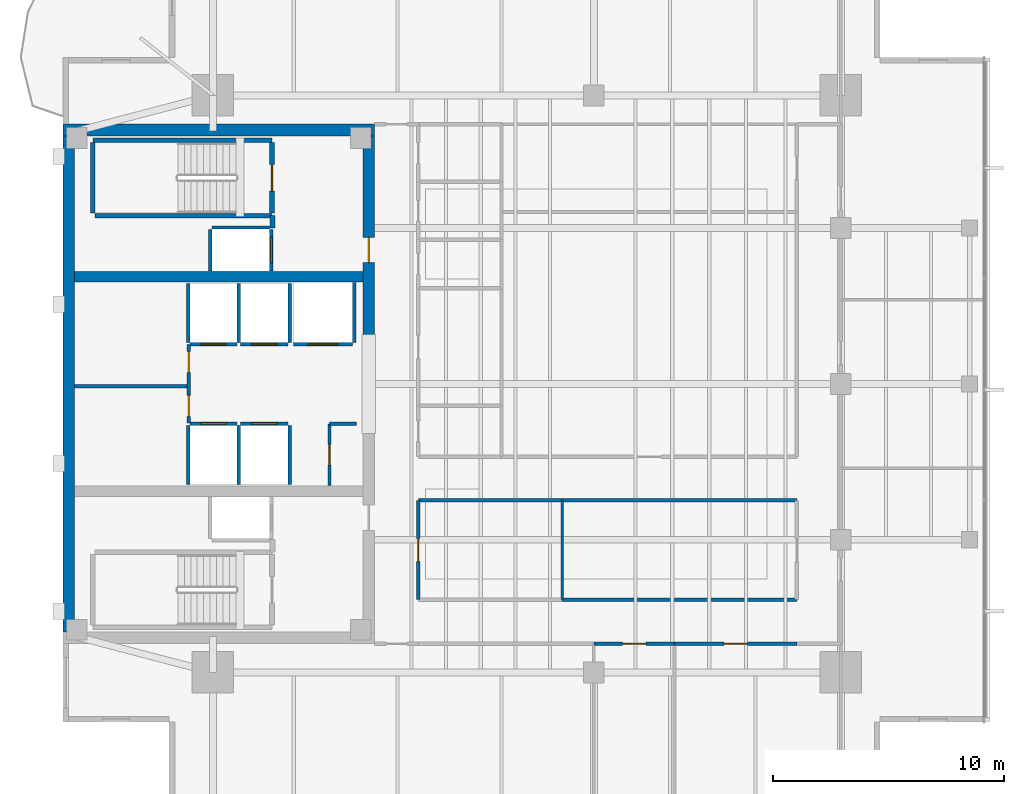
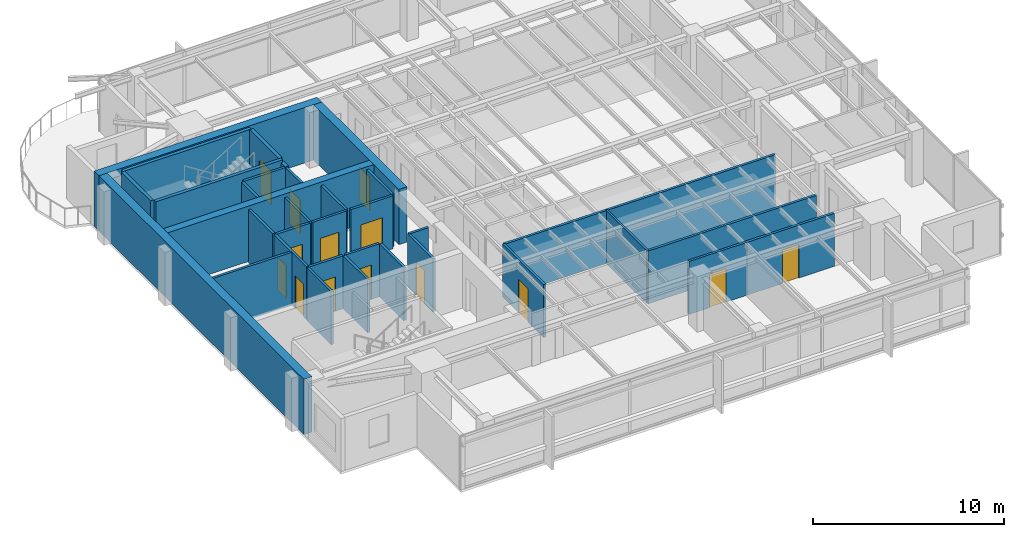
# One storey, part 8 of 14: 35 walls, 14 doors, 14 openings.
"""IFC4 building model written with IfcOpenShell, lengths in metres."""

from ifc_helpers import new_model, si_unit, direction, frame, frame_2d, origin, place, context, subcontext, project, spatial, rectangle, extrude, material, layer, layer_set, type_object, element, fill, save


model = new_model("IFC4")

# Units and contexts
model_context = context("Model", 3, precision=1e-05, world=origin(), true_north=direction((0.0, 1.0)))
body_context = subcontext(model_context, "Body", "Model", "MODEL_VIEW")
ifc_project = project(units=[si_unit("LENGTHUNIT", "METRE"), si_unit("AREAUNIT", "SQUARE_METRE"), si_unit("VOLUMEUNIT", "CUBIC_METRE"), si_unit("PLANEANGLEUNIT", "RADIAN"), si_unit("MASSUNIT", "GRAM", prefix="KILO")], contexts=[model_context])

# Site, building, storey
site_placement = place(None, origin())
site = spatial("IfcSite", under=ifc_project, at=site_placement, CompositionType="ELEMENT")
building_placement = place(site_placement, origin())
building = spatial("IfcBuilding", under=site, at=building_placement, Name="Kinhvarn Gate Tower", CompositionType="ELEMENT")
storey_placement = place(building_placement, frame((0.0, 0.0, 274.10009765625)))
storey = spatial("IfcBuildingStorey", under=building, at=storey_placement, Name="L73", CompositionType="ELEMENT", Elevation=274.10009765625)

# Walls
ifc_material_1 = material(Name="Concrete C50/60", Category="concrete")
ifc_layer_1 = layer(ifc_material_1, 0.449951171875)
ifc_layer_set_1 = layer_set([ifc_layer_1], Name="Concrete C50/60")
wall_type_1 = type_object("IfcWallType", Name="WL-CORE-450", PredefinedType="SHEAR", material=ifc_layer_set_1)
wall_1_placement = place(storey_placement, frame((5.0, 29.89990234375, 0.0), z_axis=(0.0, 0.0, 1.0), x_axis=(1.0, 0.0, 0.0)))
element("IfcWall", 1, at=wall_1_placement, inside=storey, type_object=wall_type_1, Name="Core North Spine Shear Wall L73 450 mm", PredefinedType="SHEAR", context=body_context, shape_type="SweptSolid", body=[
    extrude(rectangle(XDim=12.5, YDim=0.449951171875, at=frame_2d((6.25, 0.0))), origin(), (0.0, 0.0, 1.0), 3.5498046875),
])
ifc_layer_2 = layer(ifc_material_1, 0.5)
ifc_layer_set_2 = layer_set([ifc_layer_2], Name="Concrete C50/60")
wall_type_2 = type_object("IfcWallType", Name="WL-CORE-500", PredefinedType="SHEAR", material=ifc_layer_set_2)
wall_2_placement = place(storey_placement, frame((4.5, 36.25, 0.0), z_axis=(0.0, 0.0, 1.0), x_axis=(1.0, 0.0, 0.0)))
element("IfcWall", 2, at=wall_2_placement, inside=storey, type_object=wall_type_2, Name="Core North Shear Wall L73 500 mm", PredefinedType="SHEAR", context=body_context, shape_type="SweptSolid", body=[
    extrude(rectangle(XDim=13.5, YDim=0.5, at=frame_2d((6.75, 0.0))), origin(), (0.0, 0.0, 1.0), 3.5498046875),
])

# Wall, opening, door
wall_3_placement = place(storey_placement, frame((17.75, 27.050048828125, 0.0), z_axis=(0.0, 0.0, 1.0), x_axis=(0.0, 1.0, 0.0)))
wall_3 = element("IfcWall", 3, at=wall_3_placement, inside=storey, type_object=wall_type_2, Name="Core East-North Shear Pier L73 500 mm", PredefinedType="SHEAR", context=body_context, shape_type="SweptSolid", body=[
    extrude(rectangle(XDim=8.949951171875, YDim=0.5, at=frame_2d((4.47509765625, 0.0))), origin(), (0.0, 0.0, 1.0), 3.5498046875),
])
opening_1_placement = place(wall_3_placement, frame((3.449951171875, 0.0, 0.0)))
opening_1 = element("IfcOpeningElement", 4, at=opening_1_placement, cuts=wall_3, Name="Opening FD-02", PredefinedType="OPENING", context=body_context, shape_type="SweptSolid", body=[
    extrude(rectangle(XDim=1.10009765625, YDim=2.14990234375, at=frame_2d((0.550048828125, 1.074951171875))), frame((0.0, 0.260009765625, 0.0), z_axis=(0.0, -1.0, 0.0), x_axis=(1.0, 0.0, 0.0)), (0.0, 0.0, 1.0), 0.52001953125),
])
ifc_material_2 = material(Name="Anodised aluminium AW-6063", Category="aluminium")
door_type_1 = type_object("IfcDoorType", Name="DR-FD-1100", OperationType="NOTDEFINED", PredefinedType="DOOR", material=ifc_material_2)
door_1_placement = place(opening_1_placement, origin())
door_1 = element("IfcDoor", 5, at=door_1_placement, inside=storey, type_object=door_type_1, Name="Firefighting Lobby Core Door (L73)", OperationType="SINGLE_SWING_LEFT", OverallHeight=2.14990234375, OverallWidth=1.10009765625, PredefinedType="DOOR", context=body_context, shape_type="SweptSolid", body=[
    extrude(rectangle(XDim=1.10009765625, YDim=2.14990234375, at=frame_2d((0.550048828125, 1.074951171875))), frame((0.0, 0.02490234375, 0.0), z_axis=(0.0, -1.0, 0.0), x_axis=(1.0, 0.0, 0.0)), (0.0, 0.0, 1.0), 0.050048828125),
])
fill(opening_1, door_1)

# Walls
ifc_layer_3 = layer(ifc_material_1, 0.5)
ifc_layer_set_3 = layer_set([ifc_layer_3], Name="Concrete C50/60")
wall_type_3 = type_object("IfcWallType", Name="WL-COREX-500", PredefinedType="SHEAR", material=ifc_layer_set_3)
wall_4_placement = place(storey_placement, frame((4.75, 14.5, 0.0), z_axis=(0.0, 0.0, 1.0), x_axis=(0.0, 1.0, 0.0)))
element("IfcWall", 6, at=wall_4_placement, inside=storey, type_object=wall_type_3, Name="Core West Shear Wall L73 500 mm", PredefinedType="SHEAR", context=body_context, shape_type="SweptSolid", body=[
    extrude(rectangle(XDim=21.5, YDim=0.5, at=frame_2d((10.75, 0.0))), origin(), (0.0, 0.0, 1.0), 3.5498046875),
])
ifc_material_3 = material(Name="Gypsum acoustic partition board")
ifc_layer_4 = layer(ifc_material_3, 0.1201171875)
ifc_layer_set_4 = layer_set([ifc_layer_4], Name="Gypsum acoustic partition board")
wall_type_4 = type_object("IfcWallType", Name="WL-PRT-120", PredefinedType="PARTITIONING", material=ifc_layer_set_4)
wall_5_placement = place(storey_placement, frame((26.1298828125, 15.89990234375, 0.0), z_axis=(0.0, 0.0, 1.0), x_axis=(0.0, 1.0, 0.0)))
element("IfcWall", 7, at=wall_5_placement, inside=storey, type_object=wall_type_4, Name="Interior Partition PW-120 (L73)", PredefinedType="PARTITIONING", context=body_context, shape_type="SweptSolid", body=[
    extrude(rectangle(XDim=4.300048828125, YDim=0.1201171875, at=frame_2d((2.14990234375, 0.0))), origin(), (0.0, 0.0, 1.0), 3.389892578125),
])
ifc_layer_5 = layer(ifc_material_3, 0.14990234375)
ifc_layer_set_5 = layer_set([ifc_layer_5], Name="Gypsum acoustic partition board")
wall_type_5 = type_object("IfcWallType", Name="WL-PRT-150F", PredefinedType="PARTITIONING", material=ifc_layer_set_5)
wall_6_placement = place(storey_placement, frame((5.0, 25.14990234375, 0.0), z_axis=(0.0, 0.0, 1.0), x_axis=(1.0, 0.0, 0.0)))
element("IfcWall", 8, at=wall_6_placement, inside=storey, type_object=wall_type_5, Name="Interior Partition PW-150F (L73)", PredefinedType="PARTITIONING", context=body_context, shape_type="SweptSolid", body=[
    extrude(rectangle(XDim=4.949951171875, YDim=0.14990234375, at=frame_2d((2.47509765625, 0.0))), origin(), (0.0, 0.0, 1.0), 3.389892578125),
])

# Wall, openings, doors
wall_7_placement = place(storey_placement, frame((9.949951171875, 23.550048828125, 0.0), z_axis=(0.0, 0.0, 1.0), x_axis=(0.0, 1.0, 0.0)))
wall_7 = element("IfcWall", 9, at=wall_7_placement, inside=storey, type_object=wall_type_5, Name="Interior Partition PW-150F (L73)", PredefinedType="PARTITIONING", context=body_context, shape_type="SweptSolid", body=[
    extrude(rectangle(XDim=3.39990234375, YDim=0.14990234375, at=frame_2d((1.699951171875, 0.0))), origin(), (0.0, 0.0, 1.0), 3.389892578125),
])
opening_2_placement = place(wall_7_placement, frame((0.298095703125, 0.0, 0.0)))
opening_2 = element("IfcOpeningElement", 10, at=opening_2_placement, cuts=wall_7, Name="Opening FD-04", PredefinedType="OPENING", context=body_context, shape_type="SweptSolid", body=[
    extrude(rectangle(XDim=0.89990234375, YDim=2.10009765625, at=frame_2d((0.449951171875, 1.050048828125))), frame((0.0, 0.0849609375, 0.0), z_axis=(0.0, -1.0, 0.0), x_axis=(1.0, 0.0, 0.0)), (0.0, 0.0, 1.0), 0.169921875),
])
opening_3_placement = place(wall_7_placement, frame((2.201904296875, 0.0, 0.0)))
opening_3 = element("IfcOpeningElement", 11, at=opening_3_placement, cuts=wall_7, Name="Opening FD-04", PredefinedType="OPENING", context=body_context, shape_type="SweptSolid", body=[
    extrude(rectangle(XDim=0.89990234375, YDim=2.10009765625, at=frame_2d((0.449951171875, 1.050048828125))), frame((0.0, 0.0849609375, 0.0), z_axis=(0.0, -1.0, 0.0), x_axis=(1.0, 0.0, 0.0)), (0.0, 0.0, 1.0), 0.169921875),
])
door_type_2 = type_object("IfcDoorType", Name="DR-FD-900", OperationType="NOTDEFINED", PredefinedType="DOOR", material=ifc_material_2)
door_2_placement = place(opening_2_placement, origin())
door_2 = element("IfcDoor", 12, at=door_2_placement, inside=storey, type_object=door_type_2, Name="Rated Riser & Service Closet Fire Door 900x2100 mm (L73)", OperationType="SINGLE_SWING_RIGHT", OverallHeight=2.10009765625, OverallWidth=0.89990234375, PredefinedType="DOOR", context=body_context, shape_type="SweptSolid", body=[
    extrude(rectangle(XDim=0.89990234375, YDim=2.10009765625, at=frame_2d((0.449951171875, 1.050048828125))), frame((0.0, 0.02490234375, 0.0), z_axis=(0.0, -1.0, 0.0), x_axis=(1.0, 0.0, 0.0)), (0.0, 0.0, 1.0), 0.050048828125),
])
fill(opening_2, door_2)
door_3_placement = place(opening_3_placement, origin())
door_3 = element("IfcDoor", 13, at=door_3_placement, inside=storey, type_object=door_type_2, Name="Rated Riser & Service Closet Fire Door 900x2100 mm (L73)", OperationType="SINGLE_SWING_LEFT", OverallHeight=2.10009765625, OverallWidth=0.89990234375, PredefinedType="DOOR", context=body_context, shape_type="SweptSolid", body=[
    extrude(rectangle(XDim=0.89990234375, YDim=2.10009765625, at=frame_2d((0.449951171875, 1.050048828125))), frame((0.0, 0.02490234375, 0.0), z_axis=(0.0, -1.0, 0.0), x_axis=(1.0, 0.0, 0.0)), (0.0, 0.0, 1.0), 0.050048828125),
])
fill(opening_3, door_3)

# Wall, opening, door
wall_8_placement = place(storey_placement, frame((16.050048828125, 20.85009765625, 0.0), z_axis=(0.0, 0.0, 1.0), x_axis=(0.0, 1.0, 0.0)))
wall_8 = element("IfcWall", 14, at=wall_8_placement, inside=storey, type_object=wall_type_5, Name="Interior Partition PW-150F (L73)", PredefinedType="PARTITIONING", context=body_context, shape_type="SweptSolid", body=[
    extrude(rectangle(XDim=2.669921875, YDim=0.14990234375, at=frame_2d((1.3349609375, 0.0))), origin(), (0.0, 0.0, 1.0), 3.389892578125),
])
opening_4_placement = place(wall_8_placement, frame((0.885009765625, 0.0, 0.0)))
opening_4 = element("IfcOpeningElement", 15, at=opening_4_placement, cuts=wall_8, Name="Opening FD-04", PredefinedType="OPENING", context=body_context, shape_type="SweptSolid", body=[
    extrude(rectangle(XDim=0.89990234375, YDim=2.10009765625, at=frame_2d((0.449951171875, 1.050048828125))), frame((0.0, 0.0849609375, 0.0), z_axis=(0.0, -1.0, 0.0), x_axis=(1.0, 0.0, 0.0)), (0.0, 0.0, 1.0), 0.169921875),
])
door_4_placement = place(opening_4_placement, origin())
door_4 = element("IfcDoor", 16, at=door_4_placement, inside=storey, type_object=door_type_2, Name="Rated Riser & Service Closet Fire Door 900x2100 mm (L73)", OperationType="SINGLE_SWING_RIGHT", OverallHeight=2.10009765625, OverallWidth=0.89990234375, PredefinedType="DOOR", context=body_context, shape_type="SweptSolid", body=[
    extrude(rectangle(XDim=0.89990234375, YDim=2.10009765625, at=frame_2d((0.449951171875, 1.050048828125))), frame((0.0, 0.02490234375, 0.0), z_axis=(0.0, -1.0, 0.0), x_axis=(1.0, 0.0, 0.0)), (0.0, 0.0, 1.0), 0.050048828125),
])
fill(opening_4, door_4)

# Wall
wall_9_placement = place(storey_placement, frame((16.050048828125, 23.52001953125, 0.0), z_axis=(0.0, 0.0, 1.0), x_axis=(1.0, 0.0, 0.0)))
element("IfcWall", 17, at=wall_9_placement, inside=storey, type_object=wall_type_5, Name="Interior Partition PW-150F (L73)", PredefinedType="PARTITIONING", context=body_context, shape_type="SweptSolid", body=[
    extrude(rectangle(XDim=1.169921875, YDim=0.14990234375, at=frame_2d((0.5849609375, 0.0))), origin(), (0.0, 0.0, 1.0), 3.389892578125),
])

# Wall, opening, door
wall_10_placement = place(storey_placement, frame((19.89990234375, 15.89990234375, 0.0), z_axis=(0.0, 0.0, 1.0), x_axis=(0.0, 1.0, 0.0)))
wall_10 = element("IfcWall", 18, at=wall_10_placement, inside=storey, type_object=wall_type_5, Name="Interior Partition PW-150F (L73)", PredefinedType="PARTITIONING", context=body_context, shape_type="SweptSolid", body=[
    extrude(rectangle(XDim=4.300048828125, YDim=0.14990234375, at=frame_2d((2.14990234375, 0.0))), origin(), (0.0, 0.0, 1.0), 3.389892578125),
])
opening_5_placement = place(wall_10_placement, frame((1.64990234375, 0.0, 0.0)))
opening_5 = element("IfcOpeningElement", 19, at=opening_5_placement, cuts=wall_10, Name="Opening ID-02", PredefinedType="OPENING", context=body_context, shape_type="SweptSolid", body=[
    extrude(rectangle(XDim=1.0, YDim=2.14990234375, at=frame_2d((0.5, 1.074951171875))), frame((0.0, 0.0849609375, 0.0), z_axis=(0.0, -1.0, 0.0), x_axis=(1.0, 0.0, 0.0)), (0.0, 0.0, 1.0), 0.169921875),
])
door_type_3 = type_object("IfcDoorType", Name="DR-INT-1000", OperationType="NOTDEFINED", PredefinedType="DOOR", material=ifc_material_2)
door_5_placement = place(opening_5_placement, origin())
door_5 = element("IfcDoor", 20, at=door_5_placement, inside=storey, type_object=door_type_3, Name="Standard Office & Meeting Room Door 1000x2150 mm (L73)", OperationType="SINGLE_SWING_LEFT", OverallHeight=2.14990234375, OverallWidth=1.0, PredefinedType="DOOR", context=body_context, shape_type="SweptSolid", body=[
    extrude(rectangle(XDim=1.0, YDim=2.14990234375, at=frame_2d((0.5, 1.074951171875))), frame((0.0, 0.02490234375, 0.0), z_axis=(0.0, -1.0, 0.0), x_axis=(1.0, 0.0, 0.0)), (0.0, 0.0, 1.0), 0.050048828125),
])
fill(opening_5, door_5)

# Walls
wall_11_placement = place(storey_placement, frame((19.89990234375, 20.199951171875, 0.0), z_axis=(0.0, 0.0, 1.0), x_axis=(1.0, 0.0, 0.0)))
element("IfcWall", 21, at=wall_11_placement, inside=storey, type_object=wall_type_5, Name="Interior Partition PW-150F (L73)", PredefinedType="PARTITIONING", context=body_context, shape_type="SweptSolid", body=[
    extrude(rectangle(XDim=6.22998046875, YDim=0.14990234375, at=frame_2d((3.114990234375, 0.0))), origin(), (0.0, 0.0, 1.0), 3.389892578125),
])
for number, where, z_axis, x_axis, name in (
    (22, (26.1298828125, 20.199951171875, 0.0), (0.0, 0.0, 1.0), (1.0, 0.0, 0.0), "Interior Partition PW-150F (L73)"),
    (23, (26.1298828125, 15.89990234375, 0.0), (0.0, 0.0, 1.0), (1.0, 0.0, 0.0), "Interior Partition PW-150F (L73)"),
):
    element("IfcWall", number, at=place(storey_placement, frame(where, z_axis=z_axis, x_axis=x_axis)), inside=storey, type_object=wall_type_5, Name=name, PredefinedType="PARTITIONING", context=body_context, shape_type="SweptSolid", body=[
        extrude(rectangle(XDim=10.170166015625, YDim=0.14990234375, at=frame_2d((5.0849609375, 0.0))), origin(), (0.0, 0.0, 1.0), 3.389892578125),
    ])

# Wall, opening, door
wall_12_placement = place(storey_placement, frame((27.5, 14.0, 0.0), z_axis=(0.0, 0.0, 1.0), x_axis=(1.0, 0.0, 0.0)))
wall_12 = element("IfcWall", 24, at=wall_12_placement, inside=storey, type_object=wall_type_5, Name="Interior Partition PW-150F (L73)", PredefinedType="PARTITIONING", context=body_context, shape_type="SweptSolid", body=[
    extrude(rectangle(XDim=3.5, YDim=0.14990234375, at=frame_2d((1.75, 0.0))), origin(), (0.0, 0.0, 1.0), 3.389892578125),
])
opening_6_placement = place(wall_12_placement, frame((1.25, 0.0, 0.0)))
opening_6 = element("IfcOpeningElement", 25, at=opening_6_placement, cuts=wall_12, Name="Opening ID-02", PredefinedType="OPENING", context=body_context, shape_type="SweptSolid", body=[
    extrude(rectangle(XDim=1.0, YDim=2.14990234375, at=frame_2d((0.5, 1.074951171875))), frame((0.0, 0.0849609375, 0.0), z_axis=(0.0, -1.0, 0.0), x_axis=(1.0, 0.0, 0.0)), (0.0, 0.0, 1.0), 0.169921875),
])
door_6_placement = place(opening_6_placement, origin())
door_6 = element("IfcDoor", 26, at=door_6_placement, inside=storey, type_object=door_type_3, Name="Standard Office & Meeting Room Door 1000x2150 mm (L73)", OperationType="SINGLE_SWING_LEFT", OverallHeight=2.14990234375, OverallWidth=1.0, PredefinedType="DOOR", context=body_context, shape_type="SweptSolid", body=[
    extrude(rectangle(XDim=1.0, YDim=2.14990234375, at=frame_2d((0.5, 1.074951171875))), frame((0.0, 0.02490234375, 0.0), z_axis=(0.0, -1.0, 0.0), x_axis=(1.0, 0.0, 0.0)), (0.0, 0.0, 1.0), 0.050048828125),
])
fill(opening_6, door_6)

wall_13_placement = place(storey_placement, frame((31.0, 14.0, 0.0), z_axis=(0.0, 0.0, 1.0), x_axis=(1.0, 0.0, 0.0)))
wall_13 = element("IfcWall", 27, at=wall_13_placement, inside=storey, type_object=wall_type_5, Name="Interior Partition PW-150F (L73)", PredefinedType="PARTITIONING", context=body_context, shape_type="SweptSolid", body=[
    extrude(rectangle(XDim=5.300048828125, YDim=0.14990234375, at=frame_2d((2.64990234375, 0.0))), origin(), (0.0, 0.0, 1.0), 3.389892578125),
])
opening_7_placement = place(wall_13_placement, frame((2.14990234375, 0.0, 0.0)))
opening_7 = element("IfcOpeningElement", 28, at=opening_7_placement, cuts=wall_13, Name="Opening ID-02", PredefinedType="OPENING", context=body_context, shape_type="SweptSolid", body=[
    extrude(rectangle(XDim=1.0, YDim=2.14990234375, at=frame_2d((0.5, 1.074951171875))), frame((0.0, 0.0849609375, 0.0), z_axis=(0.0, -1.0, 0.0), x_axis=(1.0, 0.0, 0.0)), (0.0, 0.0, 1.0), 0.169921875),
])
door_7_placement = place(opening_7_placement, origin())
door_7 = element("IfcDoor", 29, at=door_7_placement, inside=storey, type_object=door_type_3, Name="Standard Office & Meeting Room Door 1000x2150 mm (L73)", OperationType="SINGLE_SWING_RIGHT", OverallHeight=2.14990234375, OverallWidth=1.0, PredefinedType="DOOR", context=body_context, shape_type="SweptSolid", body=[
    extrude(rectangle(XDim=1.0, YDim=2.14990234375, at=frame_2d((0.5, 1.074951171875))), frame((0.0, 0.02490234375, 0.0), z_axis=(0.0, -1.0, 0.0), x_axis=(1.0, 0.0, 0.0)), (0.0, 0.0, 1.0), 0.050048828125),
])
fill(opening_7, door_7)

# Wall
ifc_layer_6 = layer(ifc_material_3, 0.199951171875)
ifc_layer_set_6 = layer_set([ifc_layer_6], Name="Gypsum acoustic partition board")
wall_type_6 = type_object("IfcWallType", Name="WL-PRT-200", PredefinedType="PARTITIONING", material=ifc_layer_set_6)
wall_14_placement = place(storey_placement, frame((13.580078125, 32.0, 0.0), z_axis=(0.0, 0.0, 1.0), x_axis=(0.0, 1.0, 0.0)))
element("IfcWall", 30, at=wall_14_placement, inside=storey, type_object=wall_type_6, Name="Interior Partition PW-200 (L73)", PredefinedType="PARTITIONING", context=body_context, shape_type="SweptSolid", body=[
    extrude(rectangle(XDim=0.5400390625, YDim=0.199951171875, at=frame_2d((0.27001953125, 0.0))), origin(), (0.0, 0.0, 1.0), 3.389892578125),
])

# Wall, opening, door
ifc_layer_7 = layer(ifc_material_3, 0.14990234375)
ifc_layer_set_7 = layer_set([ifc_layer_7], Name="Gypsum acoustic partition board")
wall_type_7 = type_object("IfcWallType", Name="WL-SHF-150", PredefinedType="PARTITIONING", material=ifc_layer_set_7)
wall_15_placement = place(storey_placement, frame((10.0, 23.52490234375, 0.0), z_axis=(0.0, 0.0, 1.0), x_axis=(1.0, 0.0, 0.0)))
wall_15 = element("IfcWall", 31, at=wall_15_placement, inside=storey, type_object=wall_type_7, Name="Elevator PH-09 Landing Wall (L73)", PredefinedType="PARTITIONING", context=body_context, shape_type="SweptSolid", body=[
    extrude(rectangle(XDim=2.050048828125, YDim=0.14990234375, at=frame_2d((1.02490234375, 0.0))), origin(), (0.0, 0.0, 1.0), 3.389892578125),
])
opening_8_placement = place(wall_15_placement, frame((0.47509765625, 0.0, 0.0)))
opening_8 = element("IfcOpeningElement", 32, at=opening_8_placement, cuts=wall_15, Name="Opening LD-01", PredefinedType="OPENING", context=body_context, shape_type="SweptSolid", body=[
    extrude(rectangle(XDim=1.10009765625, YDim=2.199951171875, at=frame_2d((0.550048828125, 1.10009765625))), frame((0.0, 0.0849609375, 0.0), z_axis=(0.0, -1.0, 0.0), x_axis=(1.0, 0.0, 0.0)), (0.0, 0.0, 1.0), 0.169921875),
])
door_type_4 = type_object("IfcDoorType", Name="DR-LND-PAS", OperationType="NOTDEFINED", PredefinedType="DOOR", material=ifc_material_2)
door_8_placement = place(opening_8_placement, origin())
door_8 = element("IfcDoor", 33, at=door_8_placement, inside=storey, type_object=door_type_4, Name="Elevator PH-09 Sliding Landing Door (L73)", OperationType="DOUBLE_DOOR_SLIDING", OverallHeight=2.199951171875, OverallWidth=1.10009765625, PredefinedType="DOOR", context=body_context, shape_type="SweptSolid", body=[
    extrude(rectangle(XDim=1.10009765625, YDim=2.199951171875, at=frame_2d((0.550048828125, 1.10009765625))), frame((0.0, 0.02490234375, 0.0), z_axis=(0.0, -1.0, 0.0), x_axis=(1.0, 0.0, 0.0)), (0.0, 0.0, 1.0), 0.050048828125),
])
fill(opening_8, door_8)

# Walls
for number, where, z_axis, x_axis, name in (
    (34, (9.925048828125, 20.89990234375, 0.0), (0.0, 0.0, 1.0), (0.0, 1.0, 0.0), "Elevator PH-09 Hoistway Wall W (L73)"),
    (35, (12.125, 20.89990234375, 0.0), (0.0, 0.0, 1.0), (0.0, 1.0, 0.0), "Elevator PH-09 Hoistway Wall E (L73)"),
):
    element("IfcWall", number, at=place(storey_placement, frame(where, z_axis=z_axis, x_axis=x_axis)), inside=storey, type_object=wall_type_7, Name=name, PredefinedType="PARTITIONING", context=body_context, shape_type="SweptSolid", body=[
        extrude(rectangle(XDim=2.550048828125, YDim=0.14990234375, at=frame_2d((1.27490234375, 0.0))), origin(), (0.0, 0.0, 1.0), 3.389892578125),
    ])

# Wall, opening, door
wall_16_placement = place(storey_placement, frame((12.199951171875, 23.52490234375, 0.0), z_axis=(0.0, 0.0, 1.0), x_axis=(1.0, 0.0, 0.0)))
wall_16 = element("IfcWall", 36, at=wall_16_placement, inside=storey, type_object=wall_type_7, Name="Elevator PH-10 Landing Wall (L73)", PredefinedType="PARTITIONING", context=body_context, shape_type="SweptSolid", body=[
    extrude(rectangle(XDim=2.050048828125, YDim=0.14990234375, at=frame_2d((1.02490234375, 0.0))), origin(), (0.0, 0.0, 1.0), 3.389892578125),
])
opening_9_placement = place(wall_16_placement, frame((0.47509765625, 0.0, 0.0)))
opening_9 = element("IfcOpeningElement", 37, at=opening_9_placement, cuts=wall_16, Name="Opening LD-01", PredefinedType="OPENING", context=body_context, shape_type="SweptSolid", body=[
    extrude(rectangle(XDim=1.10009765625, YDim=2.199951171875, at=frame_2d((0.550048828125, 1.10009765625))), frame((0.0, 0.0849609375, 0.0), z_axis=(0.0, -1.0, 0.0), x_axis=(1.0, 0.0, 0.0)), (0.0, 0.0, 1.0), 0.169921875),
])
door_9_placement = place(opening_9_placement, origin())
door_9 = element("IfcDoor", 38, at=door_9_placement, inside=storey, type_object=door_type_4, Name="Elevator PH-10 Sliding Landing Door (L73)", OperationType="DOUBLE_DOOR_SLIDING", OverallHeight=2.199951171875, OverallWidth=1.10009765625, PredefinedType="DOOR", context=body_context, shape_type="SweptSolid", body=[
    extrude(rectangle(XDim=1.10009765625, YDim=2.199951171875, at=frame_2d((0.550048828125, 1.10009765625))), frame((0.0, 0.02490234375, 0.0), z_axis=(0.0, -1.0, 0.0), x_axis=(1.0, 0.0, 0.0)), (0.0, 0.0, 1.0), 0.050048828125),
])
fill(opening_9, door_9)

# Wall
wall_17_placement = place(storey_placement, frame((14.324951171875, 20.89990234375, 0.0), z_axis=(0.0, 0.0, 1.0), x_axis=(0.0, 1.0, 0.0)))
element("IfcWall", 39, at=wall_17_placement, inside=storey, type_object=wall_type_7, Name="Elevator PH-10 Hoistway Wall E (L73)", PredefinedType="PARTITIONING", context=body_context, shape_type="SweptSolid", body=[
    extrude(rectangle(XDim=2.550048828125, YDim=0.14990234375, at=frame_2d((1.27490234375, 0.0))), origin(), (0.0, 0.0, 1.0), 3.389892578125),
])

# Wall, opening, door
wall_18_placement = place(storey_placement, frame((10.0, 26.97509765625, 0.0), z_axis=(0.0, 0.0, 1.0), x_axis=(1.0, 0.0, 0.0)))
wall_18 = element("IfcWall", 40, at=wall_18_placement, inside=storey, type_object=wall_type_7, Name="Elevator PH-11 Landing Wall (L73)", PredefinedType="PARTITIONING", context=body_context, shape_type="SweptSolid", body=[
    extrude(rectangle(XDim=2.050048828125, YDim=0.14990234375, at=frame_2d((1.02490234375, 0.0))), origin(), (0.0, 0.0, 1.0), 3.389892578125),
])
opening_10_placement = place(wall_18_placement, frame((0.47509765625, 0.0, 0.0)))
opening_10 = element("IfcOpeningElement", 41, at=opening_10_placement, cuts=wall_18, Name="Opening LD-01", PredefinedType="OPENING", context=body_context, shape_type="SweptSolid", body=[
    extrude(rectangle(XDim=1.10009765625, YDim=2.199951171875, at=frame_2d((0.550048828125, 1.10009765625))), frame((0.0, 0.0849609375, 0.0), z_axis=(0.0, -1.0, 0.0), x_axis=(1.0, 0.0, 0.0)), (0.0, 0.0, 1.0), 0.169921875),
])
door_10_placement = place(opening_10_placement, origin())
door_10 = element("IfcDoor", 42, at=door_10_placement, inside=storey, type_object=door_type_4, Name="Elevator PH-11 Sliding Landing Door (L73)", OperationType="DOUBLE_DOOR_SLIDING", OverallHeight=2.199951171875, OverallWidth=1.10009765625, PredefinedType="DOOR", context=body_context, shape_type="SweptSolid", body=[
    extrude(rectangle(XDim=1.10009765625, YDim=2.199951171875, at=frame_2d((0.550048828125, 1.10009765625))), frame((0.0, 0.02490234375, 0.0), z_axis=(0.0, -1.0, 0.0), x_axis=(1.0, 0.0, 0.0)), (0.0, 0.0, 1.0), 0.050048828125),
])
fill(opening_10, door_10)

# Walls
for number, where, z_axis, x_axis, name in (
    (43, (9.925048828125, 27.050048828125, 0.0), (0.0, 0.0, 1.0), (0.0, 1.0, 0.0), "Elevator PH-11 Hoistway Wall W (L73)"),
    (44, (12.125, 27.050048828125, 0.0), (0.0, 0.0, 1.0), (0.0, 1.0, 0.0), "Elevator PH-11 Hoistway Wall E (L73)"),
):
    element("IfcWall", number, at=place(storey_placement, frame(where, z_axis=z_axis, x_axis=x_axis)), inside=storey, type_object=wall_type_7, Name=name, PredefinedType="PARTITIONING", context=body_context, shape_type="SweptSolid", body=[
        extrude(rectangle(XDim=2.550048828125, YDim=0.14990234375, at=frame_2d((1.27490234375, 0.0))), origin(), (0.0, 0.0, 1.0), 3.389892578125),
    ])

# Wall, opening, door
wall_19_placement = place(storey_placement, frame((12.199951171875, 26.97509765625, 0.0), z_axis=(0.0, 0.0, 1.0), x_axis=(1.0, 0.0, 0.0)))
wall_19 = element("IfcWall", 45, at=wall_19_placement, inside=storey, type_object=wall_type_7, Name="Elevator PH-12 Landing Wall (L73)", PredefinedType="PARTITIONING", context=body_context, shape_type="SweptSolid", body=[
    extrude(rectangle(XDim=2.050048828125, YDim=0.14990234375, at=frame_2d((1.02490234375, 0.0))), origin(), (0.0, 0.0, 1.0), 3.389892578125),
])
opening_11_placement = place(wall_19_placement, frame((0.47509765625, 0.0, 0.0)))
opening_11 = element("IfcOpeningElement", 46, at=opening_11_placement, cuts=wall_19, Name="Opening LD-01", PredefinedType="OPENING", context=body_context, shape_type="SweptSolid", body=[
    extrude(rectangle(XDim=1.10009765625, YDim=2.199951171875, at=frame_2d((0.550048828125, 1.10009765625))), frame((0.0, 0.0849609375, 0.0), z_axis=(0.0, -1.0, 0.0), x_axis=(1.0, 0.0, 0.0)), (0.0, 0.0, 1.0), 0.169921875),
])
door_11_placement = place(opening_11_placement, origin())
door_11 = element("IfcDoor", 47, at=door_11_placement, inside=storey, type_object=door_type_4, Name="Elevator PH-12 Sliding Landing Door (L73)", OperationType="DOUBLE_DOOR_SLIDING", OverallHeight=2.199951171875, OverallWidth=1.10009765625, PredefinedType="DOOR", context=body_context, shape_type="SweptSolid", body=[
    extrude(rectangle(XDim=1.10009765625, YDim=2.199951171875, at=frame_2d((0.550048828125, 1.10009765625))), frame((0.0, 0.02490234375, 0.0), z_axis=(0.0, -1.0, 0.0), x_axis=(1.0, 0.0, 0.0)), (0.0, 0.0, 1.0), 0.050048828125),
])
fill(opening_11, door_11)

# Wall
wall_20_placement = place(storey_placement, frame((14.324951171875, 27.050048828125, 0.0), z_axis=(0.0, 0.0, 1.0), x_axis=(0.0, 1.0, 0.0)))
element("IfcWall", 48, at=wall_20_placement, inside=storey, type_object=wall_type_7, Name="Elevator PH-12 Hoistway Wall E (L73)", PredefinedType="PARTITIONING", context=body_context, shape_type="SweptSolid", body=[
    extrude(rectangle(XDim=2.550048828125, YDim=0.14990234375, at=frame_2d((1.27490234375, 0.0))), origin(), (0.0, 0.0, 1.0), 3.389892578125),
])

# Wall, opening, door
wall_21_placement = place(storey_placement, frame((14.5, 26.97509765625, 0.0), z_axis=(0.0, 0.0, 1.0), x_axis=(1.0, 0.0, 0.0)))
wall_21 = element("IfcWall", 49, at=wall_21_placement, inside=storey, type_object=wall_type_7, Name="Elevator SV-01 Landing Wall (L73)", PredefinedType="PARTITIONING", context=body_context, shape_type="SweptSolid", body=[
    extrude(rectangle(XDim=2.550048828125, YDim=0.14990234375, at=frame_2d((1.27490234375, 0.0))), origin(), (0.0, 0.0, 1.0), 3.389892578125),
])
opening_12_placement = place(wall_21_placement, frame((0.625, 0.0, 0.0)))
opening_12 = element("IfcOpeningElement", 50, at=opening_12_placement, cuts=wall_21, Name="Opening LD-02", PredefinedType="OPENING", context=body_context, shape_type="SweptSolid", body=[
    extrude(rectangle(XDim=1.300048828125, YDim=2.199951171875, at=frame_2d((0.64990234375, 1.10009765625))), frame((0.0, 0.0849609375, 0.0), z_axis=(0.0, -1.0, 0.0), x_axis=(1.0, 0.0, 0.0)), (0.0, 0.0, 1.0), 0.169921875),
])
door_type_5 = type_object("IfcDoorType", Name="DR-LND-SRV", OperationType="NOTDEFINED", PredefinedType="DOOR", material=ifc_material_2)
door_12_placement = place(opening_12_placement, origin())
door_12 = element("IfcDoor", 51, at=door_12_placement, inside=storey, type_object=door_type_5, Name="Elevator SV-01 Sliding Landing Door (L73)", OperationType="DOUBLE_DOOR_SLIDING", OverallHeight=2.199951171875, OverallWidth=1.300048828125, PredefinedType="DOOR", context=body_context, shape_type="SweptSolid", body=[
    extrude(rectangle(XDim=1.300048828125, YDim=2.199951171875, at=frame_2d((0.64990234375, 1.10009765625))), frame((0.0, 0.02490234375, 0.0), z_axis=(0.0, -1.0, 0.0), x_axis=(1.0, 0.0, 0.0)), (0.0, 0.0, 1.0), 0.050048828125),
])
fill(opening_12, door_12)

# Walls
wall_22_placement = place(storey_placement, frame((17.125, 27.050048828125, 0.0), z_axis=(0.0, 0.0, 1.0), x_axis=(0.0, 1.0, 0.0)))
element("IfcWall", 52, at=wall_22_placement, inside=storey, type_object=wall_type_7, Name="Elevator SV-01 Hoistway Wall E (L73)", PredefinedType="PARTITIONING", context=body_context, shape_type="SweptSolid", body=[
    extrude(rectangle(XDim=2.599853515625, YDim=0.14990234375, at=frame_2d((1.2998046875, 0.0))), origin(), (0.0, 0.0, 1.0), 3.389892578125),
])
wall_23_placement = place(storey_placement, frame((10.949951171875, 32.02490234375, 0.0), z_axis=(0.0, 0.0, 1.0), x_axis=(1.0, 0.0, 0.0)))
element("IfcWall", 53, at=wall_23_placement, inside=storey, type_object=wall_type_7, Name="Elevator FF2 Hoistway Wall N (L73)", PredefinedType="PARTITIONING", context=body_context, shape_type="SweptSolid", body=[
    extrude(rectangle(XDim=2.5, YDim=0.14990234375, at=frame_2d((1.25, 0.0))), origin(), (0.0, 0.0, 1.0), 3.389892578125),
])
wall_24_placement = place(storey_placement, frame((10.875, 30.14990234375, 0.0), z_axis=(0.0, 0.0, 1.0), x_axis=(0.0, 1.0, 0.0)))
element("IfcWall", 54, at=wall_24_placement, inside=storey, type_object=wall_type_7, Name="Elevator FF2 Hoistway Wall W (L73)", PredefinedType="PARTITIONING", context=body_context, shape_type="SweptSolid", body=[
    extrude(rectangle(XDim=1.800048828125, YDim=0.14990234375, at=frame_2d((0.89990234375, 0.0))), origin(), (0.0, 0.0, 1.0), 3.389892578125),
])

# Wall, opening, door
wall_25_placement = place(storey_placement, frame((13.52490234375, 30.14990234375, 0.0), z_axis=(0.0, 0.0, 1.0), x_axis=(0.0, 1.0, 0.0)))
wall_25 = element("IfcWall", 55, at=wall_25_placement, inside=storey, type_object=wall_type_7, Name="Elevator FF2 Landing Wall (L73)", PredefinedType="PARTITIONING", context=body_context, shape_type="SweptSolid", body=[
    extrude(rectangle(XDim=1.800048828125, YDim=0.14990234375, at=frame_2d((0.89990234375, 0.0))), origin(), (0.0, 0.0, 1.0), 3.389892578125),
])
opening_13_placement = place(wall_25_placement, frame((0.35009765625, 0.0, 0.0)))
opening_13 = element("IfcOpeningElement", 56, at=opening_13_placement, cuts=wall_25, Name="Opening LD-03", PredefinedType="OPENING", context=body_context, shape_type="SweptSolid", body=[
    extrude(rectangle(XDim=1.10009765625, YDim=2.199951171875, at=frame_2d((0.550048828125, 1.10009765625))), frame((0.0, 0.0849609375, 0.0), z_axis=(0.0, -1.0, 0.0), x_axis=(1.0, 0.0, 0.0)), (0.0, 0.0, 1.0), 0.169921875),
])
door_type_6 = type_object("IfcDoorType", Name="DR-LND-FF", OperationType="NOTDEFINED", PredefinedType="DOOR", material=ifc_material_2)
door_13_placement = place(opening_13_placement, origin())
door_13 = element("IfcDoor", 57, at=door_13_placement, inside=storey, type_object=door_type_6, Name="Elevator FF2 Sliding Landing Door (L73)", OperationType="DOUBLE_DOOR_SLIDING", OverallHeight=2.199951171875, OverallWidth=1.10009765625, PredefinedType="DOOR", context=body_context, shape_type="SweptSolid", body=[
    extrude(rectangle(XDim=1.10009765625, YDim=2.199951171875, at=frame_2d((0.550048828125, 1.10009765625))), frame((0.0, 0.02490234375, 0.0), z_axis=(0.0, -1.0, 0.0), x_axis=(1.0, 0.0, 0.0)), (0.0, 0.0, 1.0), 0.050048828125),
])
fill(opening_13, door_13)

# Walls
ifc_material_4 = material(Name="Concrete C40/50", Category="concrete")
ifc_layer_8 = layer(ifc_material_4, 0.199951171875)
ifc_layer_set_8 = layer_set([ifc_layer_8], Name="Concrete C40/50")
wall_type_8 = type_object("IfcWallType", Name="WL-SHF-200", PredefinedType="SOLIDWALL", material=ifc_layer_set_8)
wall_26_placement = place(storey_placement, frame((5.800048828125, 35.800048828125, 0.0), z_axis=(0.0, 0.0, 1.0), x_axis=(1.0, 0.0, 0.0)))
element("IfcWall", 58, at=wall_26_placement, inside=storey, type_object=wall_type_8, Name="Stair ST2 North Shaft Wall (L73)", PredefinedType="SOLIDWALL", context=body_context, shape_type="SweptSolid", body=[
    extrude(rectangle(XDim=7.75, YDim=0.199951171875, at=frame_2d((3.875, 0.0))), origin(), (0.0, 0.0, 1.0), 3.5498046875),
])
wall_27_placement = place(storey_placement, frame((5.7900390625, 32.64990234375, 0.0), z_axis=(0.0, 0.0, 1.0), x_axis=(0.0, 1.0, 0.0)))
element("IfcWall", 59, at=wall_27_placement, inside=storey, type_object=wall_type_8, Name="Stair ST2 West Shaft Wall (L73)", PredefinedType="SOLIDWALL", context=body_context, shape_type="SweptSolid", body=[
    extrude(rectangle(XDim=3.050048828125, YDim=0.199951171875, at=frame_2d((1.52490234375, 0.0))), origin(), (0.0, 0.0, 1.0), 3.5498046875),
])
wall_28_placement = place(storey_placement, frame((5.89990234375, 32.5400390625, 0.0), z_axis=(0.0, 0.0, 1.0), x_axis=(1.0, 0.0, 0.0)))
element("IfcWall", 60, at=wall_28_placement, inside=storey, type_object=wall_type_8, Name="Stair ST2 South Shaft Wall (L73)", PredefinedType="SOLIDWALL", context=body_context, shape_type="SweptSolid", body=[
    extrude(rectangle(XDim=7.66015625, YDim=0.199951171875, at=frame_2d((3.830078125, 0.0))), origin(), (0.0, 0.0, 1.0), 3.5498046875),
])

# Wall, opening, door
wall_29_placement = place(storey_placement, frame((13.56005859375, 32.64990234375, 0.0), z_axis=(0.0, 0.0, 1.0), x_axis=(0.0, 1.0, 0.0)))
wall_29 = element("IfcWall", 61, at=wall_29_placement, inside=storey, type_object=wall_type_8, Name="Stair ST2 East Entry Wall (L73)", PredefinedType="SOLIDWALL", context=body_context, shape_type="SweptSolid", body=[
    extrude(rectangle(XDim=3.050048828125, YDim=0.199951171875, at=frame_2d((1.52490234375, 0.0))), origin(), (0.0, 0.0, 1.0), 3.5498046875),
])
opening_14_placement = place(wall_29_placement, frame((0.949951171875, 0.0, 0.0)))
opening_14 = element("IfcOpeningElement", 62, at=opening_14_placement, cuts=wall_29, Name="Opening FD-01", PredefinedType="OPENING", context=body_context, shape_type="SweptSolid", body=[
    extrude(rectangle(XDim=1.14990234375, YDim=2.14990234375, at=frame_2d((0.574951171875, 1.074951171875))), frame((0.0, 0.10986328125, 0.0), z_axis=(0.0, -1.0, 0.0), x_axis=(1.0, 0.0, 0.0)), (0.0, 0.0, 1.0), 0.219970703125),
])
door_type_7 = type_object("IfcDoorType", Name="DR-ST-1150", OperationType="NOTDEFINED", PredefinedType="DOOR", material=ifc_material_2)
door_14_placement = place(opening_14_placement, origin())
door_14 = element("IfcDoor", 63, at=door_14_placement, inside=storey, type_object=door_type_7, Name="Exit Stair ST2 Fire Door (L73)", OperationType="SINGLE_SWING_RIGHT", OverallHeight=2.14990234375, OverallWidth=1.14990234375, PredefinedType="DOOR", context=body_context, shape_type="SweptSolid", body=[
    extrude(rectangle(XDim=1.14990234375, YDim=2.14990234375, at=frame_2d((0.574951171875, 1.074951171875))), frame((0.0, 0.02490234375, 0.0), z_axis=(0.0, -1.0, 0.0), x_axis=(1.0, 0.0, 0.0)), (0.0, 0.0, 1.0), 0.050048828125),
])
fill(opening_14, door_14)

save(model, "model.ifc")
